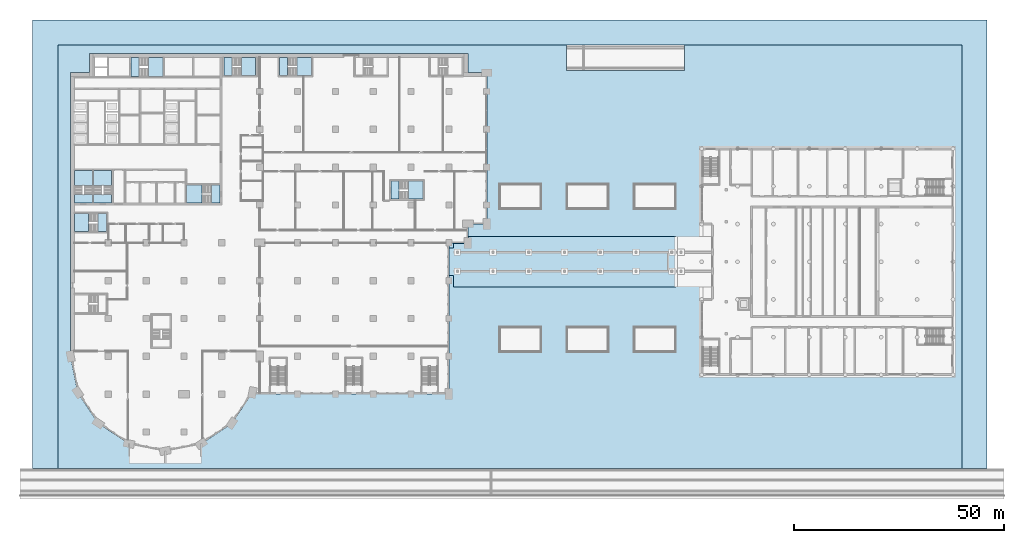
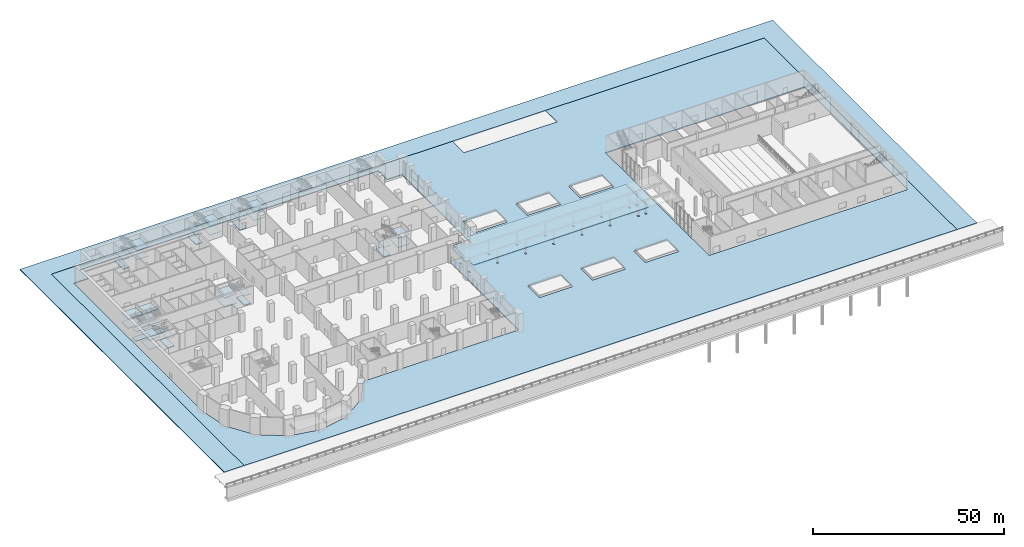
# One storey, part 10 of 47: 35 slabs, 8 elements without a shape of their own.
"""IFC4 building model written with IfcOpenShell, lengths in metres."""

from ifc_helpers import new_model, si_unit, direction, frame, origin, place, context, subcontext, project, spatial, polyline, outline, extrude, material, layer, layer_set, type_object, element, aggregate, save


model = new_model("IFC4")

# Units and contexts
model_context = context("Model", 3, precision=1e-05, world=origin(), true_north=direction((0.0, 1.0)))
body_context = subcontext(model_context, "Body", "Model", "MODEL_VIEW")
ifc_project = project(units=[si_unit("LENGTHUNIT", "METRE"), si_unit("AREAUNIT", "SQUARE_METRE"), si_unit("VOLUMEUNIT", "CUBIC_METRE"), si_unit("PLANEANGLEUNIT", "RADIAN"), si_unit("MASSUNIT", "GRAM", prefix="KILO")], contexts=[model_context])

# Site, building, storey
site_placement = place(None, origin())
site = spatial("IfcSite", under=ifc_project, at=site_placement, CompositionType="ELEMENT")
building_placement = place(site_placement, origin())
building = spatial("IfcBuilding", under=site, at=building_placement, Name="Hunhe Ridgeline Campus", CompositionType="ELEMENT")
storey_placement = place(building_placement, origin())
storey = spatial("IfcBuildingStorey", under=building, at=storey_placement, Name="L00", CompositionType="ELEMENT", Elevation=0.0)

# Slab
ifc_material_1 = material(Name="Concrete C40", Category="concrete")
ifc_layer_1 = layer(ifc_material_1, 0.25)
ifc_layer_set_1 = layer_set([ifc_layer_1], Name="Canopy roof slab 250 C40")
slab_type_1 = type_object("IfcSlabType", Name="Canopy roof slab 250 C40", PredefinedType="ROOF", material=ifc_layer_set_1)
slab_1_placement = place(storey_placement, frame((0.0, 0.0, 4.550048828125)))
element("IfcSlab", 1, at=slab_1_placement, inside=storey, type_object=slab_type_1, Name="Link canopy roof slab", PredefinedType="ROOF", context=body_context, shape_type="SweptSolid", body=[
    extrude(outline(polyline([(91.10009765625, 43.5), (143.949951171875, 43.5), (143.949951171875, 55.5), (94.60009765625, 55.5), (94.60009765625, 53.89990234375), (91.10009765625, 53.89990234375), (91.10009765625, 52.800048828125), (90.0, 52.800048828125), (90.0, 46.199951171875), (91.10009765625, 46.199951171875), (91.10009765625, 43.5)])), origin(), (0.0, 0.0, 1.0), 0.25),
])

# Stair, slabs
stair_type = type_object("IfcStairType", Name="Reinforced concrete dog-leg stair 1950 Concrete C40", PredefinedType="HALF_TURN_STAIR", material=ifc_material_1)
stair_1_placement = place(storey_placement, origin())
stair_1 = element("IfcStair", 2, at=stair_1_placement, inside=storey, type_object=stair_type, Name="L00 S1", PredefinedType="HALF_TURN_STAIR")
ifc_layer_2 = layer(ifc_material_1, 0.199951171875)
ifc_layer_set_2 = layer_set([ifc_layer_2], Name="Reinforced concrete stair landing 200 Concrete C40")
slab_type_2 = type_object("IfcSlabType", Name="Reinforced concrete stair landing 200 Concrete C40", PredefinedType="LANDING", material=ifc_layer_set_2)
slab_2_placement = place(storey_placement, frame((0.0, 0.0, 1.300048828125)))
slab_2 = element("IfcSlab", 3, at=slab_2_placement, type_object=slab_type_2, Name="ST1 landing 1", PredefinedType="LANDING", context=body_context, shape_type="SweptSolid", body=[
    extrude(outline(polyline([(18.5400390625, 93.60009765625), (21.949951171875, 93.60009765625), (21.949951171875, 98.10009765625), (18.5400390625, 98.10009765625), (18.5400390625, 93.60009765625)])), origin(), (0.0, 0.0, 1.0), 0.199951171875),
])
slab_3_placement = place(storey_placement, frame((0.0, 0.0, 2.800048828125)))
slab_3 = element("IfcSlab", 4, at=slab_3_placement, type_object=slab_type_2, Name="ST1 landing 2", PredefinedType="LANDING", context=body_context, shape_type="SweptSolid", body=[
    extrude(outline(polyline([(14.35009765625, 93.60009765625), (16.300048828125, 93.60009765625), (16.300048828125, 98.10009765625), (14.35009765625, 98.10009765625), (14.35009765625, 93.60009765625)])), origin(), (0.0, 0.0, 1.0), 0.199951171875),
])
slab_4_placement = place(storey_placement, frame((0.0, 0.0, 4.300048828125)))
slab_4 = element("IfcSlab", 5, at=slab_4_placement, type_object=slab_type_2, Name="ST1 landing 3", PredefinedType="LANDING", context=body_context, shape_type="SweptSolid", body=[
    extrude(outline(polyline([(18.5400390625, 93.60009765625), (21.949951171875, 93.60009765625), (21.949951171875, 98.10009765625), (18.5400390625, 98.10009765625), (18.5400390625, 93.60009765625)])), origin(), (0.0, 0.0, 1.0), 0.199951171875),
])
aggregate(stair_1, [slab_2, slab_3, slab_4])

# Slab
slab_5_placement = place(storey_placement, frame((0.0, 0.0, -0.199951171875)))
element("IfcSlab", 6, at=slab_5_placement, inside=storey, type_object=slab_type_2, Name="L00 stair S1 floor landing", PredefinedType="LANDING", context=body_context, shape_type="SweptSolid", body=[
    extrude(outline(polyline([(14.35009765625, 93.60009765625), (16.300048828125, 93.60009765625), (16.300048828125, 98.10009765625), (14.35009765625, 98.10009765625), (14.35009765625, 93.60009765625)])), origin(), (0.0, 0.0, 1.0), 0.199951171875),
])

# Stair, slabs
stair_2_placement = place(storey_placement, origin())
stair_2 = element("IfcStair", 7, at=stair_2_placement, inside=storey, type_object=stair_type, Name="L00 S2", PredefinedType="HALF_TURN_STAIR")
slab_6_placement = place(storey_placement, frame((0.0, 0.0, 1.300048828125)))
slab_6 = element("IfcSlab", 8, at=slab_6_placement, type_object=slab_type_2, Name="ST2 landing 1", PredefinedType="LANDING", context=body_context, shape_type="SweptSolid", body=[
    extrude(outline(polyline([(31.31005859375, 67.75), (27.60009765625, 67.75), (27.60009765625, 63.5), (31.31005859375, 63.5), (31.31005859375, 67.75)])), origin(), (0.0, 0.0, 1.0), 0.199951171875),
])
slab_7_placement = place(storey_placement, frame((0.0, 0.0, 2.800048828125)))
slab_7 = element("IfcSlab", 9, at=slab_7_placement, type_object=slab_type_2, Name="ST2 landing 2", PredefinedType="LANDING", context=body_context, shape_type="SweptSolid", body=[
    extrude(outline(polyline([(35.5, 67.75), (33.550048828125, 67.75), (33.550048828125, 63.5), (35.5, 63.5), (35.5, 67.75)])), origin(), (0.0, 0.0, 1.0), 0.199951171875),
])
slab_8_placement = place(storey_placement, frame((0.0, 0.0, 4.300048828125)))
slab_8 = element("IfcSlab", 10, at=slab_8_placement, type_object=slab_type_2, Name="ST2 landing 3", PredefinedType="LANDING", context=body_context, shape_type="SweptSolid", body=[
    extrude(outline(polyline([(31.31005859375, 67.75), (27.60009765625, 67.75), (27.60009765625, 63.5), (31.31005859375, 63.5), (31.31005859375, 67.75)])), origin(), (0.0, 0.0, 1.0), 0.199951171875),
])
aggregate(stair_2, [slab_6, slab_7, slab_8])

# Slab
slab_9_placement = place(storey_placement, frame((0.0, 0.0, -0.199951171875)))
element("IfcSlab", 11, at=slab_9_placement, inside=storey, type_object=slab_type_2, Name="L00 stair S2 floor landing", PredefinedType="LANDING", context=body_context, shape_type="SweptSolid", body=[
    extrude(outline(polyline([(35.5, 67.75), (33.550048828125, 67.75), (33.550048828125, 63.5), (35.5, 63.5), (35.5, 67.75)])), origin(), (0.0, 0.0, 1.0), 0.199951171875),
])

# Stair, slabs
stair_3_placement = place(storey_placement, origin())
stair_3 = element("IfcStair", 12, at=stair_3_placement, inside=storey, type_object=stair_type, Name="L00 S3", PredefinedType="HALF_TURN_STAIR")
slab_10_placement = place(storey_placement, frame((0.0, 0.0, 1.300048828125)))
slab_10 = element("IfcSlab", 13, at=slab_10_placement, type_object=slab_type_2, Name="ST3 landing 1", PredefinedType="LANDING", context=body_context, shape_type="SweptSolid", body=[
    extrude(outline(polyline([(5.199951171875, 67.68994140625), (5.199951171875, 71.25), (0.89990234375, 71.25), (0.89990234375, 67.68994140625), (5.199951171875, 67.68994140625)])), origin(), (0.0, 0.0, 1.0), 0.199951171875),
])
slab_11_placement = place(storey_placement, frame((0.0, 0.0, 2.800048828125)))
slab_11 = element("IfcSlab", 14, at=slab_11_placement, type_object=slab_type_2, Name="ST3 landing 2", PredefinedType="LANDING", context=body_context, shape_type="SweptSolid", body=[
    extrude(outline(polyline([(5.199951171875, 63.5), (5.199951171875, 65.449951171875), (0.89990234375, 65.449951171875), (0.89990234375, 63.5), (5.199951171875, 63.5)])), origin(), (0.0, 0.0, 1.0), 0.199951171875),
])
slab_12_placement = place(storey_placement, frame((0.0, 0.0, 4.300048828125)))
slab_12 = element("IfcSlab", 15, at=slab_12_placement, type_object=slab_type_2, Name="ST3 landing 3", PredefinedType="LANDING", context=body_context, shape_type="SweptSolid", body=[
    extrude(outline(polyline([(5.199951171875, 67.68994140625), (5.199951171875, 71.25), (0.89990234375, 71.25), (0.89990234375, 67.68994140625), (5.199951171875, 67.68994140625)])), origin(), (0.0, 0.0, 1.0), 0.199951171875),
])
aggregate(stair_3, [slab_10, slab_11, slab_12])

# Slab
slab_13_placement = place(storey_placement, frame((0.0, 0.0, -0.199951171875)))
element("IfcSlab", 16, at=slab_13_placement, inside=storey, type_object=slab_type_2, Name="L00 stair S3 floor landing", PredefinedType="LANDING", context=body_context, shape_type="SweptSolid", body=[
    extrude(outline(polyline([(5.199951171875, 63.5), (5.199951171875, 65.449951171875), (0.89990234375, 65.449951171875), (0.89990234375, 63.5), (5.199951171875, 63.5)])), origin(), (0.0, 0.0, 1.0), 0.199951171875),
])

# Stair, slabs
stair_4_placement = place(storey_placement, origin())
stair_4 = element("IfcStair", 17, at=stair_4_placement, inside=storey, type_object=stair_type, Name="L00 S4", PredefinedType="HALF_TURN_STAIR")
slab_14_placement = place(storey_placement, frame((0.0, 0.0, 1.300048828125)))
slab_14 = element("IfcSlab", 18, at=slab_14_placement, type_object=slab_type_2, Name="ST4 landing 1", PredefinedType="LANDING", context=body_context, shape_type="SweptSolid", body=[
    extrude(outline(polyline([(9.800048828125, 67.68994140625), (9.800048828125, 71.25), (5.5, 71.25), (5.5, 67.68994140625), (9.800048828125, 67.68994140625)])), origin(), (0.0, 0.0, 1.0), 0.199951171875),
])
slab_15_placement = place(storey_placement, frame((0.0, 0.0, 2.800048828125)))
slab_15 = element("IfcSlab", 19, at=slab_15_placement, type_object=slab_type_2, Name="ST4 landing 2", PredefinedType="LANDING", context=body_context, shape_type="SweptSolid", body=[
    extrude(outline(polyline([(9.800048828125, 63.5), (9.800048828125, 65.449951171875), (5.5, 65.449951171875), (5.5, 63.5), (9.800048828125, 63.5)])), origin(), (0.0, 0.0, 1.0), 0.199951171875),
])
slab_16_placement = place(storey_placement, frame((0.0, 0.0, 4.300048828125)))
slab_16 = element("IfcSlab", 20, at=slab_16_placement, type_object=slab_type_2, Name="ST4 landing 3", PredefinedType="LANDING", context=body_context, shape_type="SweptSolid", body=[
    extrude(outline(polyline([(9.800048828125, 67.68994140625), (9.800048828125, 71.25), (5.5, 71.25), (5.5, 67.68994140625), (9.800048828125, 67.68994140625)])), origin(), (0.0, 0.0, 1.0), 0.199951171875),
])
aggregate(stair_4, [slab_14, slab_15, slab_16])

# Slab
slab_17_placement = place(storey_placement, frame((0.0, 0.0, -0.199951171875)))
element("IfcSlab", 21, at=slab_17_placement, inside=storey, type_object=slab_type_2, Name="L00 stair S4 floor landing", PredefinedType="LANDING", context=body_context, shape_type="SweptSolid", body=[
    extrude(outline(polyline([(9.800048828125, 63.5), (9.800048828125, 65.449951171875), (5.5, 65.449951171875), (5.5, 63.5), (9.800048828125, 63.5)])), origin(), (0.0, 0.0, 1.0), 0.199951171875),
])

# Stair, slabs
stair_5_placement = place(storey_placement, origin())
stair_5 = element("IfcStair", 22, at=stair_5_placement, inside=storey, type_object=stair_type, Name="L00 E1", PredefinedType="HALF_TURN_STAIR")
slab_18_placement = place(storey_placement, frame((0.0, 0.0, 1.300048828125)))
slab_18 = element("IfcSlab", 23, at=slab_18_placement, type_object=slab_type_2, Name="ST5 landing 1", PredefinedType="LANDING", context=body_context, shape_type="SweptSolid", body=[
    extrude(outline(polyline([(40.639892578125, 93.800048828125), (44.050048828125, 93.800048828125), (44.050048828125, 98.10009765625), (40.639892578125, 98.10009765625), (40.639892578125, 93.800048828125)])), origin(), (0.0, 0.0, 1.0), 0.199951171875),
])
slab_19_placement = place(storey_placement, frame((0.0, 0.0, 2.800048828125)))
slab_19 = element("IfcSlab", 24, at=slab_19_placement, type_object=slab_type_2, Name="ST5 landing 2", PredefinedType="LANDING", context=body_context, shape_type="SweptSolid", body=[
    extrude(outline(polyline([(36.449951171875, 93.800048828125), (38.39990234375, 93.800048828125), (38.39990234375, 98.10009765625), (36.449951171875, 98.10009765625), (36.449951171875, 93.800048828125)])), origin(), (0.0, 0.0, 1.0), 0.199951171875),
])
slab_20_placement = place(storey_placement, frame((0.0, 0.0, 4.300048828125)))
slab_20 = element("IfcSlab", 25, at=slab_20_placement, type_object=slab_type_2, Name="ST5 landing 3", PredefinedType="LANDING", context=body_context, shape_type="SweptSolid", body=[
    extrude(outline(polyline([(40.639892578125, 93.800048828125), (44.050048828125, 93.800048828125), (44.050048828125, 98.10009765625), (40.639892578125, 98.10009765625), (40.639892578125, 93.800048828125)])), origin(), (0.0, 0.0, 1.0), 0.199951171875),
])
aggregate(stair_5, [slab_18, slab_19, slab_20])

# Slab
slab_21_placement = place(storey_placement, frame((0.0, 0.0, -0.199951171875)))
element("IfcSlab", 26, at=slab_21_placement, inside=storey, type_object=slab_type_2, Name="L00 stair E1 floor landing", PredefinedType="LANDING", context=body_context, shape_type="SweptSolid", body=[
    extrude(outline(polyline([(36.449951171875, 93.800048828125), (38.39990234375, 93.800048828125), (38.39990234375, 98.10009765625), (36.449951171875, 98.10009765625), (36.449951171875, 93.800048828125)])), origin(), (0.0, 0.0, 1.0), 0.199951171875),
])

# Stair, slabs
stair_6_placement = place(storey_placement, origin())
stair_6 = element("IfcStair", 27, at=stair_6_placement, inside=storey, type_object=stair_type, Name="L00 E2", PredefinedType="HALF_TURN_STAIR")
slab_22_placement = place(storey_placement, frame((0.0, 0.0, 1.300048828125)))
slab_22 = element("IfcSlab", 28, at=slab_22_placement, type_object=slab_type_2, Name="ST6 landing 1", PredefinedType="LANDING", context=body_context, shape_type="SweptSolid", body=[
    extrude(outline(polyline([(53.889892578125, 93.800048828125), (57.300048828125, 93.800048828125), (57.300048828125, 98.10009765625), (53.889892578125, 98.10009765625), (53.889892578125, 93.800048828125)])), origin(), (0.0, 0.0, 1.0), 0.199951171875),
])
slab_23_placement = place(storey_placement, frame((0.0, 0.0, 2.800048828125)))
slab_23 = element("IfcSlab", 29, at=slab_23_placement, type_object=slab_type_2, Name="ST6 landing 2", PredefinedType="LANDING", context=body_context, shape_type="SweptSolid", body=[
    extrude(outline(polyline([(49.699951171875, 93.800048828125), (51.64990234375, 93.800048828125), (51.64990234375, 98.10009765625), (49.699951171875, 98.10009765625), (49.699951171875, 93.800048828125)])), origin(), (0.0, 0.0, 1.0), 0.199951171875),
])
slab_24_placement = place(storey_placement, frame((0.0, 0.0, 4.300048828125)))
slab_24 = element("IfcSlab", 30, at=slab_24_placement, type_object=slab_type_2, Name="ST6 landing 3", PredefinedType="LANDING", context=body_context, shape_type="SweptSolid", body=[
    extrude(outline(polyline([(53.889892578125, 93.800048828125), (57.300048828125, 93.800048828125), (57.300048828125, 98.10009765625), (53.889892578125, 98.10009765625), (53.889892578125, 93.800048828125)])), origin(), (0.0, 0.0, 1.0), 0.199951171875),
])
aggregate(stair_6, [slab_22, slab_23, slab_24])

# Slab
slab_25_placement = place(storey_placement, frame((0.0, 0.0, -0.199951171875)))
element("IfcSlab", 31, at=slab_25_placement, inside=storey, type_object=slab_type_2, Name="L00 stair E2 floor landing", PredefinedType="LANDING", context=body_context, shape_type="SweptSolid", body=[
    extrude(outline(polyline([(49.699951171875, 93.800048828125), (51.64990234375, 93.800048828125), (51.64990234375, 98.10009765625), (49.699951171875, 98.10009765625), (49.699951171875, 93.800048828125)])), origin(), (0.0, 0.0, 1.0), 0.199951171875),
])

# Stair, slabs
stair_7_placement = place(storey_placement, origin())
stair_7 = element("IfcStair", 32, at=stair_7_placement, inside=storey, type_object=stair_type, Name="L00 E5", PredefinedType="HALF_TURN_STAIR")
slab_26_placement = place(storey_placement, frame((0.0, 0.0, 1.300048828125)))
slab_26 = element("IfcSlab", 33, at=slab_26_placement, type_object=slab_type_2, Name="ST10 landing 1", PredefinedType="LANDING", context=body_context, shape_type="SweptSolid", body=[
    extrude(outline(polyline([(80.389892578125, 64.39990234375), (83.800048828125, 64.39990234375), (83.800048828125, 68.699951171875), (80.389892578125, 68.699951171875), (80.389892578125, 64.39990234375)])), origin(), (0.0, 0.0, 1.0), 0.199951171875),
])
slab_27_placement = place(storey_placement, frame((0.0, 0.0, 2.800048828125)))
slab_27 = element("IfcSlab", 34, at=slab_27_placement, type_object=slab_type_2, Name="ST10 landing 2", PredefinedType="LANDING", context=body_context, shape_type="SweptSolid", body=[
    extrude(outline(polyline([(76.199951171875, 64.39990234375), (78.14990234375, 64.39990234375), (78.14990234375, 68.699951171875), (76.199951171875, 68.699951171875), (76.199951171875, 64.39990234375)])), origin(), (0.0, 0.0, 1.0), 0.199951171875),
])
slab_28_placement = place(storey_placement, frame((0.0, 0.0, 4.300048828125)))
slab_28 = element("IfcSlab", 35, at=slab_28_placement, type_object=slab_type_2, Name="ST10 landing 3", PredefinedType="LANDING", context=body_context, shape_type="SweptSolid", body=[
    extrude(outline(polyline([(80.389892578125, 64.39990234375), (83.800048828125, 64.39990234375), (83.800048828125, 68.699951171875), (80.389892578125, 68.699951171875), (80.389892578125, 64.39990234375)])), origin(), (0.0, 0.0, 1.0), 0.199951171875),
])
aggregate(stair_7, [slab_26, slab_27, slab_28])

# Slab
slab_29_placement = place(storey_placement, frame((0.0, 0.0, -0.199951171875)))
element("IfcSlab", 36, at=slab_29_placement, inside=storey, type_object=slab_type_2, Name="L00 stair E5 floor landing", PredefinedType="LANDING", context=body_context, shape_type="SweptSolid", body=[
    extrude(outline(polyline([(76.199951171875, 64.39990234375), (78.14990234375, 64.39990234375), (78.14990234375, 68.699951171875), (76.199951171875, 68.699951171875), (76.199951171875, 64.39990234375)])), origin(), (0.0, 0.0, 1.0), 0.199951171875),
])

# Stair, slabs
stair_8_placement = place(storey_placement, origin())
stair_8 = element("IfcStair", 37, at=stair_8_placement, inside=storey, type_object=stair_type, Name="L00 W2", PredefinedType="HALF_TURN_STAIR")
slab_30_placement = place(storey_placement, frame((0.0, 0.0, 1.300048828125)))
slab_30 = element("IfcSlab", 38, at=slab_30_placement, type_object=slab_type_2, Name="ST12 landing 1", PredefinedType="LANDING", context=body_context, shape_type="SweptSolid", body=[
    extrude(outline(polyline([(4.31005859375, 60.949951171875), (0.89990234375, 60.949951171875), (0.89990234375, 56.64990234375), (4.31005859375, 56.64990234375), (4.31005859375, 60.949951171875)])), origin(), (0.0, 0.0, 1.0), 0.199951171875),
])
slab_31_placement = place(storey_placement, frame((0.0, 0.0, 2.800048828125)))
slab_31 = element("IfcSlab", 39, at=slab_31_placement, type_object=slab_type_2, Name="ST12 landing 2", PredefinedType="LANDING", context=body_context, shape_type="SweptSolid", body=[
    extrude(outline(polyline([(8.5, 60.949951171875), (6.550048828125, 60.949951171875), (6.550048828125, 56.64990234375), (8.5, 56.64990234375), (8.5, 60.949951171875)])), origin(), (0.0, 0.0, 1.0), 0.199951171875),
])
slab_32_placement = place(storey_placement, frame((0.0, 0.0, 4.300048828125)))
slab_32 = element("IfcSlab", 40, at=slab_32_placement, type_object=slab_type_2, Name="ST12 landing 3", PredefinedType="LANDING", context=body_context, shape_type="SweptSolid", body=[
    extrude(outline(polyline([(4.31005859375, 60.949951171875), (0.89990234375, 60.949951171875), (0.89990234375, 56.64990234375), (4.31005859375, 56.64990234375), (4.31005859375, 60.949951171875)])), origin(), (0.0, 0.0, 1.0), 0.199951171875),
])
aggregate(stair_8, [slab_30, slab_31, slab_32])

# Slabs
slab_33_placement = place(storey_placement, frame((0.0, 0.0, -0.199951171875)))
element("IfcSlab", 41, at=slab_33_placement, inside=storey, type_object=slab_type_2, Name="L00 stair W2 floor landing", PredefinedType="LANDING", context=body_context, shape_type="SweptSolid", body=[
    extrude(outline(polyline([(8.5, 60.949951171875), (6.550048828125, 60.949951171875), (6.550048828125, 56.64990234375), (8.5, 56.64990234375), (8.5, 60.949951171875)])), origin(), (0.0, 0.0, 1.0), 0.199951171875),
])
ifc_material_2 = material(Name="Concrete C30", Category="concrete")
ifc_layer_3 = layer(ifc_material_2, 0.25)
ifc_layer_set_3 = layer_set([ifc_layer_3], Name="Site paving slab 250 C30")
slab_type_3 = type_object("IfcSlabType", Name="Site paving slab 250 C30", PredefinedType="USERDEFINED", material=ifc_layer_set_3)
slab_34_placement = place(storey_placement, frame((0.0, 0.0, -0.25)))
element("IfcSlab", 42, at=slab_34_placement, inside=storey, type_object=slab_type_3, Name="Ring road paving", ObjectType="PAVING", PredefinedType="USERDEFINED", context=body_context, shape_type="SweptSolid", body=[
    extrude(outline(polyline([(-3.0, 0.300048828125), (-3.0, 101.0), (212.0, 101.0), (212.0, 0.300048828125), (218.0, 0.300048828125), (218.0, 107.0), (-9.0, 107.0), (-9.0, 0.300048828125), (-3.0, 0.300048828125)])), origin(), (0.0, 0.0, 1.0), 0.25),
])
slab_35_placement = place(storey_placement, frame((0.0, 0.0, -0.25)))
element("IfcSlab", 43, at=slab_35_placement, inside=storey, type_object=slab_type_3, Name="Plaza and garden paving", ObjectType="PAVING", PredefinedType="USERDEFINED", context=body_context, shape_type="SweptSolid", body=[
    extrude(outline(polyline([(146.0, 101.0), (146.0, 95.0), (118.0, 95.0), (118.0, 101.0), (-3.0, 101.0), (-3.0, 0.300048828125), (212.0, 0.300048828125), (212.0, 101.0), (146.0, 101.0)]), holes=[polyline([(112.0, 34.0), (102.0, 34.0), (102.0, 28.0), (112.0, 28.0), (112.0, 34.0)]), polyline([(128.0, 28.0), (128.0, 34.0), (118.0, 34.0), (118.0, 28.0), (128.0, 28.0)]), polyline([(92.25, 47.0), (92.25, 47.5), (91.75, 47.5), (91.75, 47.0), (92.25, 47.0)]), polyline([(100.75, 47.5), (100.25, 47.5), (100.25, 47.0), (100.75, 47.0), (100.75, 47.5)]), polyline([(109.25, 47.0), (109.25, 47.5), (108.75, 47.5), (108.75, 47.0), (109.25, 47.0)]), polyline([(117.75, 47.0), (117.75, 47.5), (117.25, 47.5), (117.25, 47.0), (117.75, 47.0)]), polyline([(22.5, 4.5), (31.1103515625, 6.212646484375), (38.409912109375, 11.090087890625), (43.027099609375, 18.0), (90.0, 18.0), (90.0, 54.0), (94.5, 54.0), (94.5, 58.5), (99.0, 58.5), (99.0, 94.5), (94.5, 94.5), (94.5, 99.0), (4.5, 99.0), (4.5, 94.5), (0.0, 94.5), (0.0, 27.0), (1.712646484375, 18.3896484375), (6.590087890625, 11.090087890625), (13.8896484375, 6.212646484375), (22.5, 4.5)]), polyline([(92.25, 51.5), (92.25, 52.0), (91.75, 52.0), (91.75, 51.5), (92.25, 51.5)]), polyline([(100.75, 51.5), (100.75, 52.0), (100.25, 52.0), (100.25, 51.5), (100.75, 51.5)]), polyline([(109.25, 52.0), (108.75, 52.0), (108.75, 51.5), (109.25, 51.5), (109.25, 52.0)]), polyline([(117.75, 51.5), (117.75, 52.0), (117.25, 52.0), (117.25, 51.5), (117.75, 51.5)]), polyline([(112.0, 62.0), (112.0, 68.0), (102.0, 68.0), (102.0, 62.0), (112.0, 62.0)]), polyline([(128.0, 68.0), (118.0, 68.0), (118.0, 62.0), (128.0, 62.0), (128.0, 68.0)]), polyline([(144.0, 28.0), (144.0, 34.0), (134.0, 34.0), (134.0, 28.0), (144.0, 28.0)]), polyline([(126.25, 47.0), (126.25, 47.5), (125.75, 47.5), (125.75, 47.0), (126.25, 47.0)]), polyline([(134.75, 47.5), (134.25, 47.5), (134.25, 47.0), (134.75, 47.0), (134.75, 47.5)]), polyline([(143.25, 47.0), (143.25, 47.5), (142.75, 47.5), (142.75, 47.0), (143.25, 47.0)]), polyline([(145.449951171875, 47.0), (145.449951171875, 47.5), (144.949951171875, 47.5), (144.949951171875, 47.0), (145.449951171875, 47.0)]), polyline([(210.0, 22.5), (210.0, 76.5), (150.0, 76.5), (150.0, 22.5), (210.0, 22.5)]), polyline([(126.25, 51.5), (126.25, 52.0), (125.75, 52.0), (125.75, 51.5), (126.25, 51.5)]), polyline([(134.75, 51.5), (134.75, 52.0), (134.25, 52.0), (134.25, 51.5), (134.75, 51.5)]), polyline([(143.25, 51.5), (143.25, 52.0), (142.75, 52.0), (142.75, 51.5), (143.25, 51.5)]), polyline([(145.449951171875, 51.5), (145.449951171875, 52.0), (144.949951171875, 52.0), (144.949951171875, 51.5), (145.449951171875, 51.5)]), polyline([(144.0, 62.0), (144.0, 68.0), (134.0, 68.0), (134.0, 62.0), (144.0, 62.0)])]), origin(), (0.0, 0.0, 1.0), 0.25),
])

save(model, "model.ifc")
